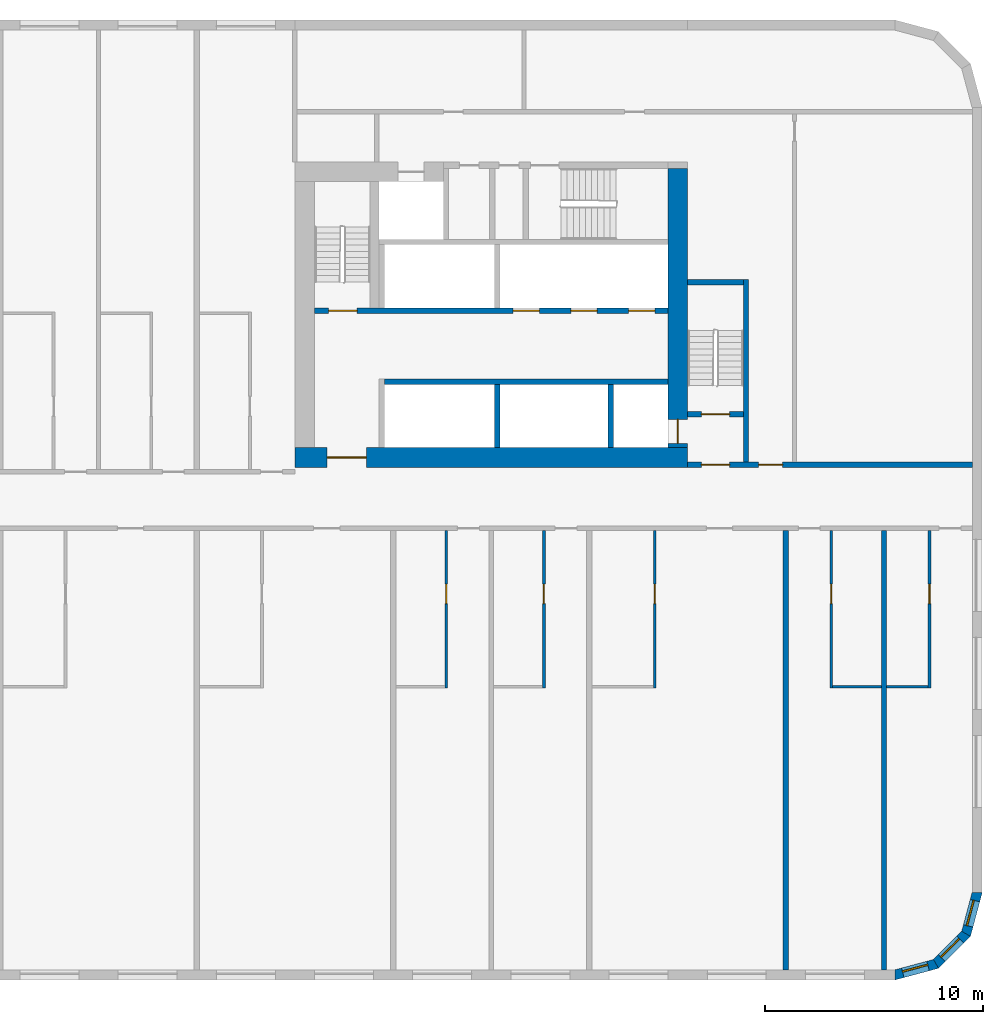
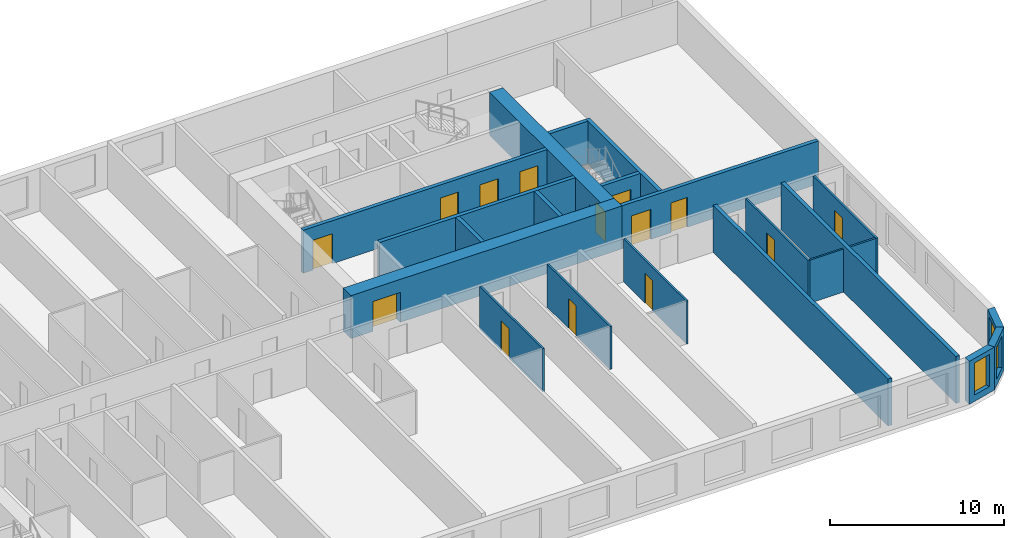
# One storey, part 7 of 12: 22 walls, 14 doors, 3 windows, 17 openings.
"""IFC4 building model written with IfcOpenShell, lengths in metres."""

from ifc_helpers import new_model, si_unit, direction, frame, frame_2d, origin, place, context, subcontext, project, spatial, polyline, rectangle, outline, extrude, material, layer, layer_set, type_object, element, fill, save


model = new_model("IFC4")

# Units and contexts
model_context = context("Model", 3, precision=1e-05, world=origin(), true_north=direction((0.0, 1.0)))
body_context = subcontext(model_context, "Body", "Model", "MODEL_VIEW")
ifc_project = project(units=[si_unit("LENGTHUNIT", "METRE"), si_unit("AREAUNIT", "SQUARE_METRE"), si_unit("VOLUMEUNIT", "CUBIC_METRE"), si_unit("PLANEANGLEUNIT", "RADIAN"), si_unit("MASSUNIT", "GRAM", prefix="KILO")], contexts=[model_context])

# Site, building, storey
site_placement = place(None, origin())
site = spatial("IfcSite", under=ifc_project, at=site_placement, CompositionType="ELEMENT")
building_placement = place(site_placement, origin())
building = spatial("IfcBuilding", under=site, at=building_placement, Name="Kajstack Hotel Tower", CompositionType="ELEMENT")
storey_placement = place(building_placement, frame((0.0, 0.0, 76.5)))
storey = spatial("IfcBuildingStorey", under=building, at=storey_placement, Name="L14", CompositionType="ELEMENT", Elevation=76.5)

# Wall, opening, door
ifc_material_1 = material(Name="Concrete C60/75", Category="concrete")
ifc_layer_1 = layer(ifc_material_1, 0.89990234375)
ifc_layer_set_1 = layer_set([ifc_layer_1], Name="Core wall 900")
wall_type_1 = type_object("IfcWallType", Name="Core wall 900", PredefinedType="SHEAR", material=ifc_layer_set_1)
wall_1_placement = place(storey_placement, frame((13.5, 1.949951171875, 0.0), z_axis=(0.0, 0.0, 1.0), x_axis=(1.0, 0.0, 0.0)))
wall_1 = element("IfcWall", 1, at=wall_1_placement, inside=storey, type_object=wall_type_1, Name="Core wall E RN", PredefinedType="SHEAR", context=body_context, shape_type="SweptSolid", body=[
    extrude(rectangle(XDim=18.0, YDim=0.89990234375, at=frame_2d((9.0, 0.0))), origin(), (0.0, 0.0, 1.0), 3.02001953125),
])
opening_1_placement = place(wall_1_placement, frame((1.47509765625, 0.0, 0.0)))
opening_1 = element("IfcOpeningElement", 2, at=opening_1_placement, cuts=wall_1, Name="Opening 14E06", PredefinedType="OPENING", context=body_context, shape_type="SweptSolid", body=[
    extrude(rectangle(XDim=1.800048828125, YDim=2.10009765625, at=frame_2d((0.89990234375, 1.050048828125))), frame((0.0, 0.4599609375, 0.0), z_axis=(0.0, -1.0, 0.0), x_axis=(1.0, 0.0, 0.0)), (0.0, 0.0, 1.0), 0.919921875),
])
ifc_material_2 = material(Name="Glazed steel frame, fire-rated glass", Category="steel")
door_type_1 = type_object("IfcDoorType", Name="Lobby double door 1800", OperationType="DOUBLE_DOOR_DOUBLE_SWING", PredefinedType="DOOR", material=ifc_material_2)
door_1_placement = place(opening_1_placement, origin())
door_1 = element("IfcDoor", 3, at=door_1_placement, inside=storey, type_object=door_type_1, Name="Door 14E06", OperationType="DOUBLE_DOOR_DOUBLE_SWING", OverallHeight=2.10009765625, OverallWidth=1.800048828125, PredefinedType="DOOR", context=body_context, shape_type="SweptSolid", body=[
    extrude(rectangle(XDim=1.800048828125, YDim=2.10009765625, at=frame_2d((0.89990234375, 1.050048828125))), frame((0.0, 0.02490234375, 0.0), z_axis=(0.0, -1.0, 0.0), x_axis=(1.0, 0.0, 0.0)), (0.0, 0.0, 1.0), 0.050048828125),
])
fill(opening_1, door_1)

wall_2_placement = place(storey_placement, frame((31.050048828125, 2.39990234375, 0.0), z_axis=(0.0, 0.0, 1.0), x_axis=(0.0, 1.0, 0.0)))
wall_2 = element("IfcWall", 4, at=wall_2_placement, inside=storey, type_object=wall_type_1, Name="Core wall E RW", PredefinedType="SHEAR", context=body_context, shape_type="SweptSolid", body=[
    extrude(rectangle(XDim=12.800048828125, YDim=0.89990234375, at=frame_2d((6.39990234375, 0.0))), origin(), (0.0, 0.0, 1.0), 3.02001953125),
])
opening_2_placement = place(wall_2_placement, frame((0.199951171875, 0.0, 0.0)))
opening_2 = element("IfcOpeningElement", 5, at=opening_2_placement, cuts=wall_2, Name="Opening LD-FF2", PredefinedType="OPENING", context=body_context, shape_type="SweptSolid", body=[
    extrude(rectangle(XDim=1.10009765625, YDim=2.10009765625, at=frame_2d((0.550048828125, 1.050048828125))), frame((0.0, 0.4599609375, 0.0), z_axis=(0.0, -1.0, 0.0), x_axis=(1.0, 0.0, 0.0)), (0.0, 0.0, 1.0), 0.919921875),
])
ifc_material_3 = material(Name="Stainless steel", Category="steel")
door_type_2 = type_object("IfcDoorType", Name="Fire-fighting lift landing door 1100", OperationType="SLIDING_TO_LEFT", PredefinedType="DOOR", material=ifc_material_3)
door_2_placement = place(opening_2_placement, origin())
door_2 = element("IfcDoor", 6, at=door_2_placement, inside=storey, type_object=door_type_2, Name="Landing door FF2", OperationType="SLIDING_TO_LEFT", OverallHeight=2.10009765625, OverallWidth=1.10009765625, PredefinedType="DOOR", context=body_context, shape_type="SweptSolid", body=[
    extrude(rectangle(XDim=1.10009765625, YDim=2.10009765625, at=frame_2d((0.550048828125, 1.050048828125))), frame((0.0, 0.02490234375, 0.0), z_axis=(0.0, -1.0, 0.0), x_axis=(1.0, 0.0, 0.0)), (0.0, 0.0, 1.0), 0.050048828125),
])
fill(opening_2, door_2)

# Wall, opening, window
ifc_material_4 = material(Name="Terracotta-faced brick masonry", Category="masonry")
ifc_layer_2 = layer(ifc_material_4, 0.449951171875)
ifc_layer_set_2 = layer_set([ifc_layer_2], Name="EW-TERRA")
wall_type_2 = type_object("IfcWallType", Name="EW-TERRA", PredefinedType="SOLIDWALL", material=ifc_layer_set_2)
wall_3_placement = place(storey_placement, frame((40.941650390625, -21.78271484375, 0.0), z_axis=(0.0, 0.0, 1.0), x_axis=(0.965926999034, 0.25881466832, 0.0)))
wall_3 = element("IfcWall", 7, at=wall_3_placement, inside=storey, type_object=wall_type_2, Name="E-wall-L14-04-00", PredefinedType="SOLIDWALL", context=body_context, shape_type="SweptSolid", body=[
    extrude(outline(polyline([(0.000244140625, -0.22509765625), (2.070556640625, -0.224853515625), (1.9501953125, 0.22509765625), (0.12060546875, 0.22509765625), (0.000244140625, -0.22509765625)])), origin(), (0.0, 0.0, 1.0), 3.02001953125),
])
opening_3_placement = place(wall_3_placement, frame((0.435302734375, 0.0, 0.449951171875)))
opening_3 = element("IfcOpeningElement", 8, at=opening_3_placement, cuts=wall_3, Name="Opening W3", PredefinedType="OPENING", context=body_context, shape_type="SweptSolid", body=[
    extrude(rectangle(XDim=1.199951171875, YDim=2.25, at=frame_2d((0.60009765625, 1.125))), frame((0.0, 0.23486328125, 0.0), z_axis=(0.0, -1.0, 0.0), x_axis=(1.0, 0.0, 0.0)), (0.0, 0.0, 1.0), 0.469970703125),
])
ifc_material_5 = material(Name="Timber-aluminium window, triple glazed", Category="wood")
window_type = type_object("IfcWindowType", Name="WG3", PartitioningType="SINGLE_PANEL", PredefinedType="WINDOW", material=ifc_material_5)
window_1_placement = place(opening_3_placement, origin())
window_1 = element("IfcWindow", 9, at=window_1_placement, inside=storey, type_object=window_type, Name="Window W3 L14-04", OverallHeight=2.25, OverallWidth=1.199951171875, PartitioningType="SINGLE_PANEL", PredefinedType="WINDOW", context=body_context, shape_type="SweptSolid", body=[
    extrude(rectangle(XDim=1.199951171875, YDim=2.25, at=frame_2d((0.60009765625, 1.125))), frame((0.0, 0.090087890625, 0.0), z_axis=(0.0, -1.0, 0.0), x_axis=(1.0, 0.0, 0.0)), (0.0, 0.0, 1.0), 0.06005859375),
])
fill(opening_3, window_1)

wall_4_placement = place(storey_placement, frame((42.8408203125, -21.304931640625, 0.0), z_axis=(0.0, 0.0, 1.0), x_axis=(0.707106781187, 0.707106781187, 0.0)))
wall_4 = element("IfcWall", 10, at=wall_4_placement, inside=storey, type_object=wall_type_2, Name="E-wall-L14-05-00", PredefinedType="SOLIDWALL", context=body_context, shape_type="SweptSolid", body=[
    extrude(outline(polyline([(0.0, -0.22509765625), (2.070556640625, -0.22509765625), (1.949951171875, 0.224853515625), (0.12060546875, 0.224853515625), (0.0, -0.22509765625)])), origin(), (0.0, 0.0, 1.0), 3.02001953125),
])
opening_4_placement = place(wall_4_placement, frame((0.435302734375, 0.0, 0.449951171875)))
opening_4 = element("IfcOpeningElement", 11, at=opening_4_placement, cuts=wall_4, Name="Opening W3", PredefinedType="OPENING", context=body_context, shape_type="SweptSolid", body=[
    extrude(rectangle(XDim=1.199951171875, YDim=2.25, at=frame_2d((0.60009765625, 1.125))), frame((0.0, 0.23486328125, 0.0), z_axis=(0.0, -1.0, 0.0), x_axis=(1.0, 0.0, 0.0)), (0.0, 0.0, 1.0), 0.469970703125),
])
window_2_placement = place(opening_4_placement, origin())
window_2 = element("IfcWindow", 12, at=window_2_placement, inside=storey, type_object=window_type, Name="Window W3 L14-05", OverallHeight=2.25, OverallWidth=1.199951171875, PartitioningType="SINGLE_PANEL", PredefinedType="WINDOW", context=body_context, shape_type="SweptSolid", body=[
    extrude(rectangle(XDim=1.199951171875, YDim=2.25, at=frame_2d((0.60009765625, 1.125))), frame((0.0, 0.090087890625, 0.0), z_axis=(0.0, -1.0, 0.0), x_axis=(1.0, 0.0, 0.0)), (0.0, 0.0, 1.0), 0.06005859375),
])
fill(opening_4, window_2)

wall_5_placement = place(storey_placement, frame((44.246826171875, -19.941650390625, 0.0), z_axis=(0.0, 0.0, 1.0), x_axis=(0.25881466832, 0.965926999034, 0.0)))
wall_5 = element("IfcWall", 13, at=wall_5_placement, inside=storey, type_object=wall_type_2, Name="E-wall-L14-06-00", PredefinedType="SOLIDWALL", context=body_context, shape_type="SweptSolid", body=[
    extrude(outline(polyline([(-0.000244140625, -0.224853515625), (2.0703125, -0.22509765625), (1.949951171875, 0.22509765625), (0.120361328125, 0.22509765625), (-0.000244140625, -0.224853515625)])), origin(), (0.0, 0.0, 1.0), 3.02001953125),
])
opening_5_placement = place(wall_5_placement, frame((0.435302734375, 0.0, 0.449951171875)))
opening_5 = element("IfcOpeningElement", 14, at=opening_5_placement, cuts=wall_5, Name="Opening W3", PredefinedType="OPENING", context=body_context, shape_type="SweptSolid", body=[
    extrude(rectangle(XDim=1.199951171875, YDim=2.25, at=frame_2d((0.60009765625, 1.125))), frame((0.0, 0.23486328125, 0.0), z_axis=(0.0, -1.0, 0.0), x_axis=(1.0, 0.0, 0.0)), (0.0, 0.0, 1.0), 0.469970703125),
])
window_3_placement = place(opening_5_placement, origin())
window_3 = element("IfcWindow", 15, at=window_3_placement, inside=storey, type_object=window_type, Name="Window W3 L14-06", OverallHeight=2.25, OverallWidth=1.199951171875, PartitioningType="SINGLE_PANEL", PredefinedType="WINDOW", context=body_context, shape_type="SweptSolid", body=[
    extrude(rectangle(XDim=1.199951171875, YDim=2.25, at=frame_2d((0.60009765625, 1.125))), frame((0.0, 0.090087890625, 0.0), z_axis=(0.0, -1.0, 0.0), x_axis=(1.0, 0.0, 0.0)), (0.0, 0.0, 1.0), 0.06005859375),
])
fill(opening_5, window_3)

# Wall, opening, door
ifc_material_6 = material(Name="Gypsum board and tiled backer on steel studs", Category="steel")
ifc_layer_3 = layer(ifc_material_6, 0.125)
ifc_layer_set_3 = layer_set([ifc_layer_3], Name="En-suite wall 125")
wall_type_3 = type_object("IfcWallType", Name="En-suite wall 125", PredefinedType="PARTITIONING", material=ifc_layer_set_3)
wall_6_placement = place(storey_placement, frame((20.43798828125, -8.625, 0.0), z_axis=(0.0, 0.0, 1.0), x_axis=(0.0, 1.0, 0.0)))
wall_6 = element("IfcWall", 16, at=wall_6_placement, inside=storey, type_object=wall_type_3, Name="G-wall-L14-042", PredefinedType="PARTITIONING", context=body_context, shape_type="SweptSolid", body=[
    extrude(rectangle(XDim=7.22509765625, YDim=0.125, at=frame_2d((3.612548828125, 0.0))), origin(), (0.0, 0.0, 1.0), 3.02001953125),
])
opening_6_placement = place(wall_6_placement, frame((3.875, 0.0, 0.0)))
opening_6 = element("IfcOpeningElement", 17, at=opening_6_placement, cuts=wall_6, Name="Opening 14034", PredefinedType="OPENING", context=body_context, shape_type="SweptSolid", body=[
    extrude(rectangle(XDim=0.89990234375, YDim=2.10009765625, at=frame_2d((0.449951171875, 1.050048828125))), frame((0.0, 0.072509765625, 0.0), z_axis=(0.0, -1.0, 0.0), x_axis=(1.0, 0.0, 0.0)), (0.0, 0.0, 1.0), 0.14501953125),
])
ifc_material_7 = material(Name="Painted timber door leaf", Category="wood")
door_type_3 = type_object("IfcDoorType", Name="Room door 900", OperationType="SINGLE_SWING_LEFT", PredefinedType="DOOR", material=ifc_material_7)
door_3_placement = place(opening_6_placement, origin())
door_3 = element("IfcDoor", 18, at=door_3_placement, inside=storey, type_object=door_type_3, Name="G-door-L14-34", OperationType="SINGLE_SWING_LEFT", OverallHeight=2.10009765625, OverallWidth=0.89990234375, PredefinedType="DOOR", context=body_context, shape_type="SweptSolid", body=[
    extrude(rectangle(XDim=0.89990234375, YDim=2.10009765625, at=frame_2d((0.449951171875, 1.050048828125))), frame((0.0, 0.02490234375, 0.0), z_axis=(0.0, -1.0, 0.0), x_axis=(1.0, 0.0, 0.0)), (0.0, 0.0, 1.0), 0.050048828125),
])
fill(opening_6, door_3)

wall_7_placement = place(storey_placement, frame((24.9130859375, -8.625, 0.0), z_axis=(0.0, 0.0, 1.0), x_axis=(0.0, 1.0, 0.0)))
wall_7 = element("IfcWall", 19, at=wall_7_placement, inside=storey, type_object=wall_type_3, Name="G-wall-L14-044", PredefinedType="PARTITIONING", context=body_context, shape_type="SweptSolid", body=[
    extrude(rectangle(XDim=7.22509765625, YDim=0.125, at=frame_2d((3.612548828125, 0.0))), origin(), (0.0, 0.0, 1.0), 3.02001953125),
])
opening_7_placement = place(wall_7_placement, frame((3.875, 0.0, 0.0)))
opening_7 = element("IfcOpeningElement", 20, at=opening_7_placement, cuts=wall_7, Name="Opening 14036", PredefinedType="OPENING", context=body_context, shape_type="SweptSolid", body=[
    extrude(rectangle(XDim=0.89990234375, YDim=2.10009765625, at=frame_2d((0.449951171875, 1.050048828125))), frame((0.0, 0.072509765625, 0.0), z_axis=(0.0, -1.0, 0.0), x_axis=(1.0, 0.0, 0.0)), (0.0, 0.0, 1.0), 0.14501953125),
])
door_4_placement = place(opening_7_placement, origin())
door_4 = element("IfcDoor", 21, at=door_4_placement, inside=storey, type_object=door_type_3, Name="G-door-L14-36", OperationType="SINGLE_SWING_RIGHT", OverallHeight=2.10009765625, OverallWidth=0.89990234375, PredefinedType="DOOR", context=body_context, shape_type="SweptSolid", body=[
    extrude(rectangle(XDim=0.89990234375, YDim=2.10009765625, at=frame_2d((0.449951171875, 1.050048828125))), frame((0.0, 0.02490234375, 0.0), z_axis=(0.0, -1.0, 0.0), x_axis=(1.0, 0.0, 0.0)), (0.0, 0.0, 1.0), 0.050048828125),
])
fill(opening_7, door_4)

wall_8_placement = place(storey_placement, frame((29.988037109375, -8.625, 0.0), z_axis=(0.0, 0.0, 1.0), x_axis=(0.0, 1.0, 0.0)))
wall_8 = element("IfcWall", 22, at=wall_8_placement, inside=storey, type_object=wall_type_3, Name="G-wall-L14-046", PredefinedType="PARTITIONING", context=body_context, shape_type="SweptSolid", body=[
    extrude(rectangle(XDim=7.22509765625, YDim=0.125, at=frame_2d((3.612548828125, 0.0))), origin(), (0.0, 0.0, 1.0), 3.02001953125),
])
opening_8_placement = place(wall_8_placement, frame((3.875, 0.0, 0.0)))
opening_8 = element("IfcOpeningElement", 23, at=opening_8_placement, cuts=wall_8, Name="Opening 14038", PredefinedType="OPENING", context=body_context, shape_type="SweptSolid", body=[
    extrude(rectangle(XDim=0.89990234375, YDim=2.10009765625, at=frame_2d((0.449951171875, 1.050048828125))), frame((0.0, 0.072509765625, 0.0), z_axis=(0.0, -1.0, 0.0), x_axis=(1.0, 0.0, 0.0)), (0.0, 0.0, 1.0), 0.14501953125),
])
door_5_placement = place(opening_8_placement, origin())
door_5 = element("IfcDoor", 24, at=door_5_placement, inside=storey, type_object=door_type_3, Name="G-door-L14-38", OperationType="SINGLE_SWING_LEFT", OverallHeight=2.10009765625, OverallWidth=0.89990234375, PredefinedType="DOOR", context=body_context, shape_type="SweptSolid", body=[
    extrude(rectangle(XDim=0.89990234375, YDim=2.10009765625, at=frame_2d((0.449951171875, 1.050048828125))), frame((0.0, 0.02490234375, 0.0), z_axis=(0.0, -1.0, 0.0), x_axis=(1.0, 0.0, 0.0)), (0.0, 0.0, 1.0), 0.050048828125),
])
fill(opening_8, door_5)

wall_9_placement = place(storey_placement, frame((38.0869140625, -8.625, 0.0), z_axis=(0.0, 0.0, 1.0), x_axis=(0.0, 1.0, 0.0)))
wall_9 = element("IfcWall", 25, at=wall_9_placement, inside=storey, type_object=wall_type_3, Name="G-wall-L14-048", PredefinedType="PARTITIONING", context=body_context, shape_type="SweptSolid", body=[
    extrude(rectangle(XDim=7.22509765625, YDim=0.125, at=frame_2d((3.612548828125, 0.0))), origin(), (0.0, 0.0, 1.0), 3.02001953125),
])
opening_9_placement = place(wall_9_placement, frame((3.875, 0.0, 0.0)))
opening_9 = element("IfcOpeningElement", 26, at=opening_9_placement, cuts=wall_9, Name="Opening 14040", PredefinedType="OPENING", context=body_context, shape_type="SweptSolid", body=[
    extrude(rectangle(XDim=0.89990234375, YDim=2.10009765625, at=frame_2d((0.449951171875, 1.050048828125))), frame((0.0, 0.072509765625, 0.0), z_axis=(0.0, -1.0, 0.0), x_axis=(1.0, 0.0, 0.0)), (0.0, 0.0, 1.0), 0.14501953125),
])
door_6_placement = place(opening_9_placement, origin())
door_6 = element("IfcDoor", 27, at=door_6_placement, inside=storey, type_object=door_type_3, Name="G-door-L14-40", OperationType="SINGLE_SWING_RIGHT", OverallHeight=2.10009765625, OverallWidth=0.89990234375, PredefinedType="DOOR", context=body_context, shape_type="SweptSolid", body=[
    extrude(rectangle(XDim=0.89990234375, YDim=2.10009765625, at=frame_2d((0.449951171875, 1.050048828125))), frame((0.0, 0.02490234375, 0.0), z_axis=(0.0, -1.0, 0.0), x_axis=(1.0, 0.0, 0.0)), (0.0, 0.0, 1.0), 0.050048828125),
])
fill(opening_9, door_6)

# Wall
wall_10_placement = place(storey_placement, frame((38.14990234375, -8.56201171875, 0.0), z_axis=(0.0, 0.0, 1.0), x_axis=(1.0, 0.0, 0.0)))
element("IfcWall", 28, at=wall_10_placement, inside=storey, type_object=wall_type_3, Name="G-wall-L14-049", PredefinedType="PARTITIONING", context=body_context, shape_type="SweptSolid", body=[
    extrude(rectangle(XDim=2.22509765625, YDim=0.125, at=frame_2d((1.112548828125, 0.0))), origin(), (0.0, 0.0, 1.0), 3.02001953125),
])

# Wall, opening, door
wall_11_placement = place(storey_placement, frame((42.5869140625, -8.625, 0.0), z_axis=(0.0, 0.0, 1.0), x_axis=(0.0, 1.0, 0.0)))
wall_11 = element("IfcWall", 29, at=wall_11_placement, inside=storey, type_object=wall_type_3, Name="G-wall-L14-050", PredefinedType="PARTITIONING", context=body_context, shape_type="SweptSolid", body=[
    extrude(rectangle(XDim=7.22509765625, YDim=0.125, at=frame_2d((3.612548828125, 0.0))), origin(), (0.0, 0.0, 1.0), 3.02001953125),
])
opening_10_placement = place(wall_11_placement, frame((3.875, 0.0, 0.0)))
opening_10 = element("IfcOpeningElement", 30, at=opening_10_placement, cuts=wall_11, Name="Opening 14042", PredefinedType="OPENING", context=body_context, shape_type="SweptSolid", body=[
    extrude(rectangle(XDim=0.89990234375, YDim=2.10009765625, at=frame_2d((0.449951171875, 1.050048828125))), frame((0.0, 0.072509765625, 0.0), z_axis=(0.0, -1.0, 0.0), x_axis=(1.0, 0.0, 0.0)), (0.0, 0.0, 1.0), 0.14501953125),
])
door_7_placement = place(opening_10_placement, origin())
door_7 = element("IfcDoor", 31, at=door_7_placement, inside=storey, type_object=door_type_3, Name="G-door-L14-42", OperationType="SINGLE_SWING_RIGHT", OverallHeight=2.10009765625, OverallWidth=0.89990234375, PredefinedType="DOOR", context=body_context, shape_type="SweptSolid", body=[
    extrude(rectangle(XDim=0.89990234375, YDim=2.10009765625, at=frame_2d((0.449951171875, 1.050048828125))), frame((0.0, 0.02490234375, 0.0), z_axis=(0.0, -1.0, 0.0), x_axis=(1.0, 0.0, 0.0)), (0.0, 0.0, 1.0), 0.050048828125),
])
fill(opening_10, door_7)

# Walls
wall_12_placement = place(storey_placement, frame((40.625, -8.56201171875, 0.0), z_axis=(0.0, 0.0, 1.0), x_axis=(1.0, 0.0, 0.0)))
element("IfcWall", 32, at=wall_12_placement, inside=storey, type_object=wall_type_3, Name="G-wall-L14-051", PredefinedType="PARTITIONING", context=body_context, shape_type="SweptSolid", body=[
    extrude(rectangle(XDim=1.89990234375, YDim=0.125, at=frame_2d((0.949951171875, 0.0))), origin(), (0.0, 0.0, 1.0), 3.02001953125),
])
ifc_material_8 = material(Name="Concrete C50/60", Category="concrete")
ifc_layer_4 = layer(ifc_material_8, 0.300048828125)
ifc_layer_set_4 = layer_set([ifc_layer_4], Name="Hoistway divider wall 300")
wall_type_4 = type_object("IfcWallType", Name="Hoistway divider wall 300", PredefinedType="SHEAR", material=ifc_layer_set_4)
wall_13_placement = place(storey_placement, frame((22.77490234375, 2.39990234375, 0.0), z_axis=(0.0, 0.0, 1.0), x_axis=(0.0, 1.0, 0.0)))
element("IfcWall", 33, at=wall_13_placement, inside=storey, type_object=wall_type_4, Name="Core wall E AP2", PredefinedType="SHEAR", context=body_context, shape_type="SweptSolid", body=[
    extrude(rectangle(XDim=2.900146484375, YDim=0.25, at=frame_2d((1.4501953125, 0.0))), origin(), (0.0, 0.0, 1.0), 3.02001953125),
])
ifc_layer_5 = layer(ifc_material_1, 0.25)
ifc_layer_set_5 = layer_set([ifc_layer_5], Name="RC cross wall 250 C60/75")
wall_type_5 = type_object("IfcWallType", Name="RC cross wall 250 C60/75", PredefinedType="SHEAR", material=ifc_layer_set_5)
for number, where, z_axis, x_axis, name in (
    (34, (36.0, -21.5400390625, 0.0), (0.0, 0.0, 1.0), (0.0, 1.0, 0.0), "S-wall-L14-13"),
    (35, (40.5, -21.5400390625, 0.0), (0.0, 0.0, 1.0), (0.0, 1.0, 0.0), "S-wall-L14-14"),
):
    element("IfcWall", number, at=place(storey_placement, frame(where, z_axis=z_axis, x_axis=x_axis)), inside=storey, type_object=wall_type_5, Name=name, PredefinedType="SHEAR", context=body_context, shape_type="SweptSolid", body=[
        extrude(rectangle(XDim=20.14013671875, YDim=0.25, at=frame_2d((10.070068359375, 0.0))), origin(), (0.0, 0.0, 1.0), 3.300048828125),
    ])

# Wall, openings, doors
ifc_material_9 = material(Name="Gypsum board on steel studs, mineral wool", Category="steel")
ifc_layer_6 = layer(ifc_material_9, 0.199951171875)
ifc_layer_set_6 = layer_set([ifc_layer_6], Name="Service partition 200")
wall_type_6 = type_object("IfcWallType", Name="Service partition 200", PredefinedType="PARTITIONING", material=ifc_layer_set_6)
wall_14_placement = place(storey_placement, frame((31.5, 1.625, 0.0), z_axis=(0.0, 0.0, 1.0), x_axis=(1.0, 0.0, 0.0)))
wall_14 = element("IfcWall", 36, at=wall_14_placement, inside=storey, type_object=wall_type_6, Name="Partition E SN", PredefinedType="PARTITIONING", context=body_context, shape_type="SweptSolid", body=[
    extrude(rectangle(XDim=13.050048828125, YDim=0.25, at=frame_2d((6.52490234375, 0.0))), origin(), (0.0, 0.0, 1.0), 3.02001953125),
])
opening_11_placement = place(wall_14_placement, frame((0.625, 0.0, 0.0)))
opening_11 = element("IfcOpeningElement", 37, at=opening_11_placement, cuts=wall_14, Name="Opening 14E07", PredefinedType="OPENING", context=body_context, shape_type="SweptSolid", body=[
    extrude(rectangle(XDim=1.300048828125, YDim=2.10009765625, at=frame_2d((0.64990234375, 1.050048828125))), frame((0.0, 0.135009765625, 0.0), z_axis=(0.0, -1.0, 0.0), x_axis=(1.0, 0.0, 0.0)), (0.0, 0.0, 1.0), 0.27001953125),
])
opening_12_placement = place(wall_14_placement, frame((3.25, 0.0, 0.0)))
opening_12 = element("IfcOpeningElement", 38, at=opening_12_placement, cuts=wall_14, Name="Opening 14E09", PredefinedType="OPENING", context=body_context, shape_type="SweptSolid", body=[
    extrude(rectangle(XDim=1.10009765625, YDim=2.10009765625, at=frame_2d((0.550048828125, 1.050048828125))), frame((0.0, 0.135009765625, 0.0), z_axis=(0.0, -1.0, 0.0), x_axis=(1.0, 0.0, 0.0)), (0.0, 0.0, 1.0), 0.27001953125),
])
ifc_material_10 = material(Name="Steel leaf, fire-rated", Category="steel")
door_type_4 = type_object("IfcDoorType", Name="Fire lobby door 1300", OperationType="SINGLE_SWING_LEFT", PredefinedType="DOOR", material=ifc_material_10)
door_8_placement = place(opening_11_placement, origin())
door_8 = element("IfcDoor", 39, at=door_8_placement, inside=storey, type_object=door_type_4, Name="Door 14E07", OperationType="SINGLE_SWING_LEFT", OverallHeight=2.10009765625, OverallWidth=1.300048828125, PredefinedType="DOOR", context=body_context, shape_type="SweptSolid", body=[
    extrude(rectangle(XDim=1.300048828125, YDim=2.10009765625, at=frame_2d((0.64990234375, 1.050048828125))), frame((0.0, 0.02490234375, 0.0), z_axis=(0.0, -1.0, 0.0), x_axis=(1.0, 0.0, 0.0)), (0.0, 0.0, 1.0), 0.050048828125),
])
fill(opening_11, door_8)
ifc_material_11 = material(Name="Timber leaf, fire-rated", Category="wood")
door_type_5 = type_object("IfcDoorType", Name="Service corridor door 1100", OperationType="SINGLE_SWING_LEFT", PredefinedType="DOOR", material=ifc_material_11)
door_9_placement = place(opening_12_placement, origin())
door_9 = element("IfcDoor", 40, at=door_9_placement, inside=storey, type_object=door_type_5, Name="Door 14E09", OperationType="SINGLE_SWING_LEFT", OverallHeight=2.10009765625, OverallWidth=1.10009765625, PredefinedType="DOOR", context=body_context, shape_type="SweptSolid", body=[
    extrude(rectangle(XDim=1.10009765625, YDim=2.10009765625, at=frame_2d((0.550048828125, 1.050048828125))), frame((0.0, 0.02490234375, 0.0), z_axis=(0.0, -1.0, 0.0), x_axis=(1.0, 0.0, 0.0)), (0.0, 0.0, 1.0), 0.050048828125),
])
fill(opening_12, door_9)

# Walls
ifc_layer_7 = layer(ifc_material_8, 0.25)
ifc_layer_set_7 = layer_set([ifc_layer_7], Name="Shaft wall 250")
wall_type_7 = type_object("IfcWallType", Name="Shaft wall 250", PredefinedType="SHEAR", material=ifc_layer_set_7)
wall_15_placement = place(storey_placement, frame((17.60009765625, 5.425048828125, 0.0), z_axis=(0.0, 0.0, 1.0), x_axis=(1.0, 0.0, 0.0)))
element("IfcWall", 41, at=wall_15_placement, inside=storey, type_object=wall_type_7, Name="Core wall E FA", PredefinedType="SHEAR", context=body_context, shape_type="SweptSolid", body=[
    extrude(rectangle(XDim=13.0, YDim=0.25, at=frame_2d((6.5, 0.0))), origin(), (0.0, 0.0, 1.0), 3.02001953125),
])
wall_16_placement = place(storey_placement, frame((27.97509765625, 2.39990234375, 0.0), z_axis=(0.0, 0.0, 1.0), x_axis=(0.0, 1.0, 0.0)))
element("IfcWall", 42, at=wall_16_placement, inside=storey, type_object=wall_type_7, Name="Core wall E AP0", PredefinedType="SHEAR", context=body_context, shape_type="SweptSolid", body=[
    extrude(rectangle(XDim=2.900146484375, YDim=0.25, at=frame_2d((1.4501953125, 0.0))), origin(), (0.0, 0.0, 1.0), 3.02001953125),
])

# Wall, openings, doors
wall_17_placement = place(storey_placement, frame((14.39990234375, 8.675048828125, 0.0), z_axis=(0.0, 0.0, 1.0), x_axis=(1.0, 0.0, 0.0)))
wall_17 = element("IfcWall", 43, at=wall_17_placement, inside=storey, type_object=wall_type_7, Name="Core wall E FB", PredefinedType="SHEAR", context=body_context, shape_type="SweptSolid", body=[
    extrude(rectangle(XDim=16.2001953125, YDim=0.25, at=frame_2d((8.10009765625, 0.0))), origin(), (0.0, 0.0, 1.0), 3.02001953125),
])
opening_13_placement = place(wall_17_placement, frame((14.39990234375, 0.0, 0.0)))
opening_13 = element("IfcOpeningElement", 44, at=opening_13_placement, cuts=wall_17, Name="Opening LD-LR4", PredefinedType="OPENING", context=body_context, shape_type="SweptSolid", body=[
    extrude(rectangle(XDim=1.199951171875, YDim=2.10009765625, at=frame_2d((0.60009765625, 1.050048828125))), frame((0.0, 0.135009765625, 0.0), z_axis=(0.0, -1.0, 0.0), x_axis=(1.0, 0.0, 0.0)), (0.0, 0.0, 1.0), 0.27001953125),
])
opening_14_placement = place(wall_17_placement, frame((11.75, 0.0, 0.0)))
opening_14 = element("IfcOpeningElement", 45, at=opening_14_placement, cuts=wall_17, Name="Opening LD-LR5", PredefinedType="OPENING", context=body_context, shape_type="SweptSolid", body=[
    extrude(rectangle(XDim=1.199951171875, YDim=2.10009765625, at=frame_2d((0.60009765625, 1.050048828125))), frame((0.0, 0.135009765625, 0.0), z_axis=(0.0, -1.0, 0.0), x_axis=(1.0, 0.0, 0.0)), (0.0, 0.0, 1.0), 0.27001953125),
])
opening_15_placement = place(wall_17_placement, frame((9.10009765625, 0.0, 0.0)))
opening_15 = element("IfcOpeningElement", 46, at=opening_15_placement, cuts=wall_17, Name="Opening LD-LR6", PredefinedType="OPENING", context=body_context, shape_type="SweptSolid", body=[
    extrude(rectangle(XDim=1.199951171875, YDim=2.10009765625, at=frame_2d((0.60009765625, 1.050048828125))), frame((0.0, 0.135009765625, 0.0), z_axis=(0.0, -1.0, 0.0), x_axis=(1.0, 0.0, 0.0)), (0.0, 0.0, 1.0), 0.27001953125),
])
opening_16_placement = place(wall_17_placement, frame((0.64990234375, 0.0, 0.0)))
opening_16 = element("IfcOpeningElement", 47, at=opening_16_placement, cuts=wall_17, Name="Opening 14E10", PredefinedType="OPENING", context=body_context, shape_type="SweptSolid", body=[
    extrude(rectangle(XDim=1.300048828125, YDim=2.10009765625, at=frame_2d((0.64990234375, 1.050048828125))), frame((0.0, 0.135009765625, 0.0), z_axis=(0.0, -1.0, 0.0), x_axis=(1.0, 0.0, 0.0)), (0.0, 0.0, 1.0), 0.27001953125),
])
door_type_6 = type_object("IfcDoorType", Name="Lift landing door 1200", OperationType="SLIDING_TO_LEFT", PredefinedType="DOOR", material=ifc_material_3)
door_10_placement = place(opening_13_placement, origin())
door_10 = element("IfcDoor", 48, at=door_10_placement, inside=storey, type_object=door_type_6, Name="Landing door LR4", OperationType="SLIDING_TO_LEFT", OverallHeight=2.10009765625, OverallWidth=1.199951171875, PredefinedType="DOOR", context=body_context, shape_type="SweptSolid", body=[
    extrude(rectangle(XDim=1.199951171875, YDim=2.10009765625, at=frame_2d((0.60009765625, 1.050048828125))), frame((0.0, 0.02490234375, 0.0), z_axis=(0.0, -1.0, 0.0), x_axis=(1.0, 0.0, 0.0)), (0.0, 0.0, 1.0), 0.050048828125),
])
fill(opening_13, door_10)
door_11_placement = place(opening_14_placement, origin())
door_11 = element("IfcDoor", 49, at=door_11_placement, inside=storey, type_object=door_type_6, Name="Landing door LR5", OperationType="SLIDING_TO_RIGHT", OverallHeight=2.10009765625, OverallWidth=1.199951171875, PredefinedType="DOOR", context=body_context, shape_type="SweptSolid", body=[
    extrude(rectangle(XDim=1.199951171875, YDim=2.10009765625, at=frame_2d((0.60009765625, 1.050048828125))), frame((0.0, 0.02490234375, 0.0), z_axis=(0.0, -1.0, 0.0), x_axis=(1.0, 0.0, 0.0)), (0.0, 0.0, 1.0), 0.050048828125),
])
fill(opening_14, door_11)
door_12_placement = place(opening_15_placement, origin())
door_12 = element("IfcDoor", 50, at=door_12_placement, inside=storey, type_object=door_type_6, Name="Landing door LR6", OperationType="SLIDING_TO_RIGHT", OverallHeight=2.10009765625, OverallWidth=1.199951171875, PredefinedType="DOOR", context=body_context, shape_type="SweptSolid", body=[
    extrude(rectangle(XDim=1.199951171875, YDim=2.10009765625, at=frame_2d((0.60009765625, 1.050048828125))), frame((0.0, 0.02490234375, 0.0), z_axis=(0.0, -1.0, 0.0), x_axis=(1.0, 0.0, 0.0)), (0.0, 0.0, 1.0), 0.050048828125),
])
fill(opening_15, door_12)
door_type_7 = type_object("IfcDoorType", Name="Stair door 1300", OperationType="SINGLE_SWING_LEFT", PredefinedType="DOOR", material=ifc_material_10)
door_13_placement = place(opening_16_placement, origin())
door_13 = element("IfcDoor", 51, at=door_13_placement, inside=storey, type_object=door_type_7, Name="Door 14E10", OperationType="SINGLE_SWING_LEFT", OverallHeight=2.10009765625, OverallWidth=1.300048828125, PredefinedType="DOOR", context=body_context, shape_type="SweptSolid", body=[
    extrude(rectangle(XDim=1.300048828125, YDim=2.10009765625, at=frame_2d((0.64990234375, 1.050048828125))), frame((0.0, 0.02490234375, 0.0), z_axis=(0.0, -1.0, 0.0), x_axis=(1.0, 0.0, 0.0)), (0.0, 0.0, 1.0), 0.050048828125),
])
fill(opening_16, door_13)

# Wall, opening, door
ifc_material_12 = material(Name="Concrete C40/50", Category="concrete")
ifc_layer_8 = layer(ifc_material_12, 0.25)
ifc_layer_set_8 = layer_set([ifc_layer_8], Name="Stair enclosure wall 250")
wall_type_8 = type_object("IfcWallType", Name="Stair enclosure wall 250", PredefinedType="SHEAR", material=ifc_layer_set_8)
wall_18_placement = place(storey_placement, frame((31.5, 3.925048828125, 0.0), z_axis=(0.0, 0.0, 1.0), x_axis=(1.0, 0.0, 0.0)))
wall_18 = element("IfcWall", 52, at=wall_18_placement, inside=storey, type_object=wall_type_8, Name="Core wall E W1N", PredefinedType="SHEAR", context=body_context, shape_type="SweptSolid", body=[
    extrude(rectangle(XDim=2.550048828125, YDim=0.25, at=frame_2d((1.27490234375, 0.0))), origin(), (0.0, 0.0, 1.0), 3.02001953125),
])
opening_17_placement = place(wall_18_placement, frame((0.625, 0.0, 0.0)))
opening_17 = element("IfcOpeningElement", 53, at=opening_17_placement, cuts=wall_18, Name="Opening 14E08", PredefinedType="OPENING", context=body_context, shape_type="SweptSolid", body=[
    extrude(rectangle(XDim=1.300048828125, YDim=2.10009765625, at=frame_2d((0.64990234375, 1.050048828125))), frame((0.0, 0.135009765625, 0.0), z_axis=(0.0, -1.0, 0.0), x_axis=(1.0, 0.0, 0.0)), (0.0, 0.0, 1.0), 0.27001953125),
])
door_14_placement = place(opening_17_placement, origin())
door_14 = element("IfcDoor", 54, at=door_14_placement, inside=storey, type_object=door_type_7, Name="Door 14E08", OperationType="SINGLE_SWING_LEFT", OverallHeight=2.10009765625, OverallWidth=1.300048828125, PredefinedType="DOOR", context=body_context, shape_type="SweptSolid", body=[
    extrude(rectangle(XDim=1.300048828125, YDim=2.10009765625, at=frame_2d((0.64990234375, 1.050048828125))), frame((0.0, 0.02490234375, 0.0), z_axis=(0.0, -1.0, 0.0), x_axis=(1.0, 0.0, 0.0)), (0.0, 0.0, 1.0), 0.050048828125),
])
fill(opening_17, door_14)

# Walls
wall_19_placement = place(storey_placement, frame((34.175048828125, 1.75, 0.0), z_axis=(0.0, 0.0, 1.0), x_axis=(0.0, 1.0, 0.0)))
element("IfcWall", 55, at=wall_19_placement, inside=storey, type_object=wall_type_8, Name="Core wall E W1W", PredefinedType="SHEAR", context=body_context, shape_type="SweptSolid", body=[
    extrude(rectangle(XDim=8.35009765625, YDim=0.25, at=frame_2d((4.175048828125, 0.0))), origin(), (0.0, 0.0, 1.0), 3.02001953125),
])
wall_20_placement = place(storey_placement, frame((31.5, 9.97509765625, 0.0), z_axis=(0.0, 0.0, 1.0), x_axis=(1.0, 0.0, 0.0)))
element("IfcWall", 56, at=wall_20_placement, inside=storey, type_object=wall_type_8, Name="Core wall E W1S", PredefinedType="SHEAR", context=body_context, shape_type="SweptSolid", body=[
    extrude(rectangle(XDim=2.550048828125, YDim=0.25, at=frame_2d((1.27490234375, 0.0))), origin(), (0.0, 0.0, 1.0), 3.02001953125),
])

save(model, "model.ifc")
